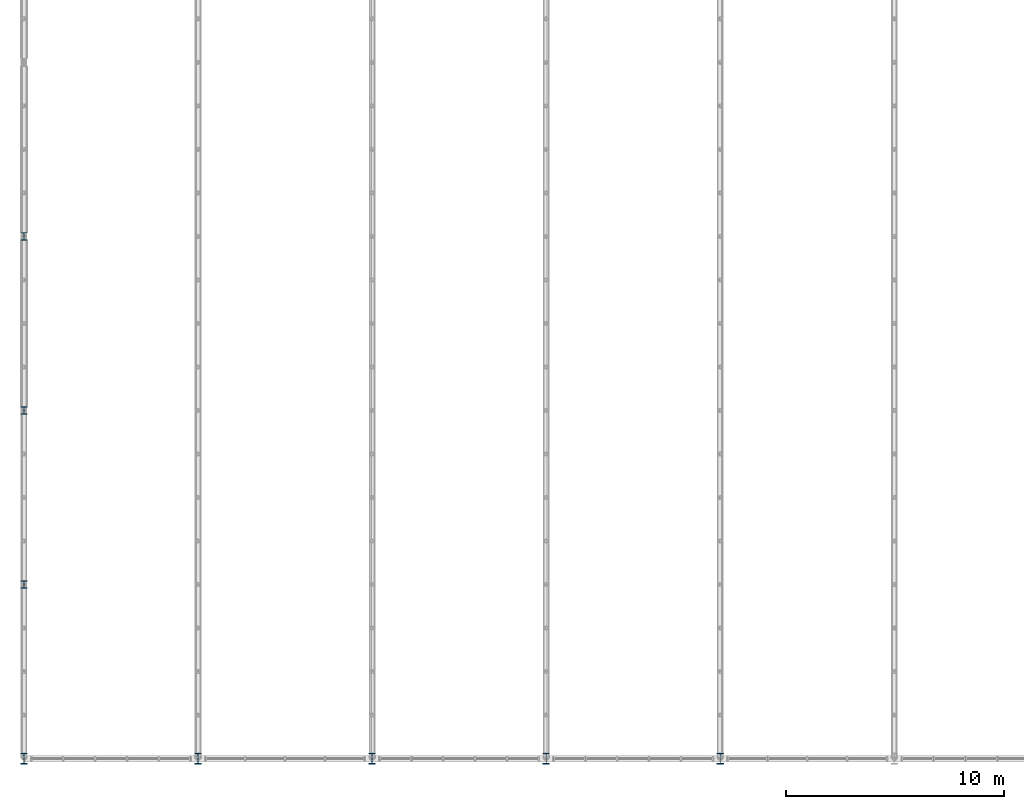
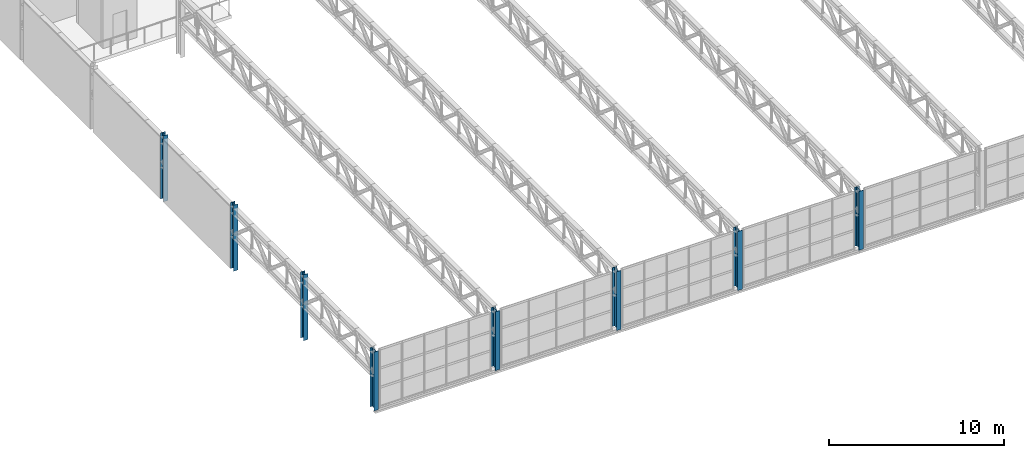
# One storey, part 1 of 67: 8 columns.
"""IFC4 building model written with IfcOpenShell, lengths in metres."""

from ifc_helpers import new_model, si_unit, derived_unit, direction, frame, origin, origin_2d, place, context, subcontext, project, spatial, i_section, extrude, material, material_profile, profile_set, type_object, element, save


model = new_model("IFC4")

# Units and contexts
model_context = context("Model", 3, precision=1e-05, world=origin(), true_north=direction((0.0, 1.0)))
body_context = subcontext(model_context, "Body", "Model", "MODEL_VIEW")
ifc_project = project(units=[si_unit("LENGTHUNIT", "METRE"), si_unit("AREAUNIT", "SQUARE_METRE"), si_unit("VOLUMEUNIT", "CUBIC_METRE"), si_unit("PLANEANGLEUNIT", "RADIAN"), si_unit("MASSUNIT", "GRAM", prefix="KILO"), derived_unit("THERMALTRANSMITTANCEUNIT", [(si_unit("POWERUNIT", "WATT"), 1), (si_unit("LENGTHUNIT", "METRE"), -2), (si_unit("THERMODYNAMICTEMPERATUREUNIT", "KELVIN"), -1)])], contexts=[model_context])

# Site, building, storey
site_placement = place(None, origin())
site = spatial("IfcSite", under=ifc_project, at=site_placement, CompositionType="ELEMENT")
building_placement = place(site_placement, origin())
building = spatial("IfcBuilding", under=site, at=building_placement, Name="Keldorne Ridge Multi-Sports Centre", CompositionType="ELEMENT")
storey_placement = place(building_placement, frame((0.0, 0.0, 14.0)))
storey = spatial("IfcBuildingStorey", under=building, at=storey_placement, Name="L03", CompositionType="ELEMENT", Elevation=14.0)

# Columns
ifc_material = material(Name="Steel S355", Category="steel")
ifc_material_profile_1 = material_profile(ifc_material, i_section(OverallWidth=0.300048828125, OverallDepth=0.5, WebThickness=0.014404296875, FlangeThickness=0.028076171875, FilletRadius=0.027099609375, at=origin_2d()), Name="HEB 500")
ifc_profile_set_1 = profile_set([ifc_material_profile_1], Name="Steel S355")
column_type_1 = type_object("IfcColumnType", Name="COL-C-05", PredefinedType="COLUMN", material=ifc_profile_set_1)
for number, where, z_axis, x_axis, name in (
    (1, (104.0, 6.0, 0.0), (0.0, 0.0, 1.0), (1.0, 0.0, 0.0), "Structural column V2-TRUSS-S-01 on L03"),
    (2, (112.0, 6.0, 0.0), (0.0, 0.0, 1.0), (1.0, 0.0, 0.0), "Structural column V2-TRUSS-S-02 on L03"),
    (3, (120.0, 6.0, 0.0), (0.0, 0.0, 1.0), (1.0, 0.0, 0.0), "Structural column V2-TRUSS-S-03 on L03"),
    (4, (128.0, 6.0, 0.0), (0.0, 0.0, 1.0), (1.0, 0.0, 0.0), "Structural column V2-TRUSS-S-04 on L03"),
    (5, (136.0, 6.0, 0.0), (0.0, 0.0, 1.0), (1.0, 0.0, 0.0), "Structural column V2-TRUSS-S-05 on L03"),
):
    element("IfcColumn", number, at=place(storey_placement, frame(where, z_axis=z_axis, x_axis=x_axis)), inside=storey, type_object=column_type_1, Name=name, PredefinedType="COLUMN", context=body_context, shape_type="SweptSolid", body=[
        extrude(i_section(OverallWidth=0.300048828125, OverallDepth=0.5, WebThickness=0.014404296875, FlangeThickness=0.028076171875, FilletRadius=0.027099609375, at=origin_2d()), origin(), (0.0, 0.0, 1.0), 4.110107421875),
    ])
ifc_material_profile_2 = material_profile(ifc_material, i_section(OverallWidth=0.300048828125, OverallDepth=0.35009765625, WebThickness=0.010009765625, FlangeThickness=0.017578125, FilletRadius=0.027099609375, at=origin_2d()), Name="HEA 360")
ifc_profile_set_2 = profile_set([ifc_material_profile_2], Name="Steel S355")
column_type_2 = type_object("IfcColumnType", Name="COL-C-16", PredefinedType="COLUMN", material=ifc_profile_set_2)
for number, where, z_axis, x_axis, name in (
    (6, (104.0, 14.0, 0.0), (0.0, 0.0, 1.0), (1.0, 0.0, 0.0), "Structural column V2-GABLE-W-01 on L03"),
    (7, (104.0, 22.0, 0.0), (0.0, 0.0, 1.0), (1.0, 0.0, 0.0), "Structural column V2-GABLE-W-02 on L03"),
    (8, (104.0, 30.0, 0.0), (0.0, 0.0, 1.0), (1.0, 0.0, 0.0), "Structural column V2-GABLE-W-03 on L03"),
):
    element("IfcColumn", number, at=place(storey_placement, frame(where, z_axis=z_axis, x_axis=x_axis)), inside=storey, type_object=column_type_2, Name=name, PredefinedType="COLUMN", context=body_context, shape_type="SweptSolid", body=[
        extrude(i_section(OverallWidth=0.300048828125, OverallDepth=0.35009765625, WebThickness=0.010009765625, FlangeThickness=0.017578125, FilletRadius=0.027099609375, at=origin_2d()), origin(), (0.0, 0.0, 1.0), 4.60009765625),
    ])

save(model, "model.ifc")
